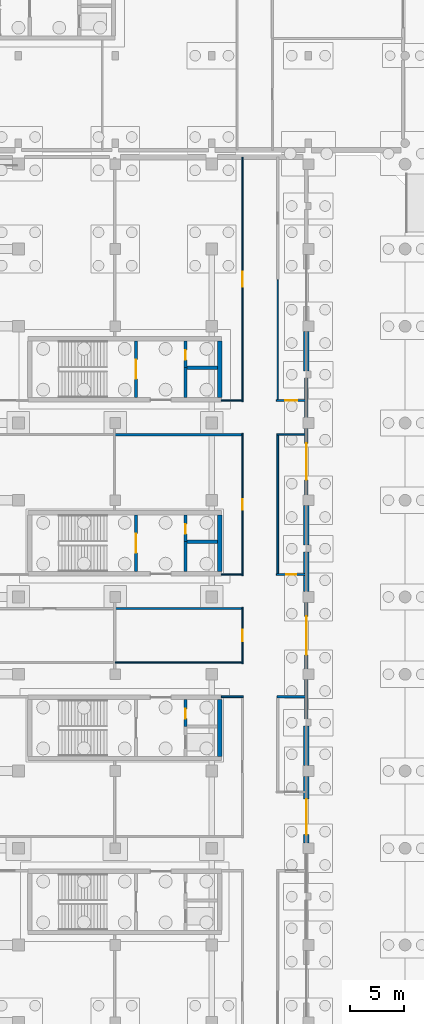
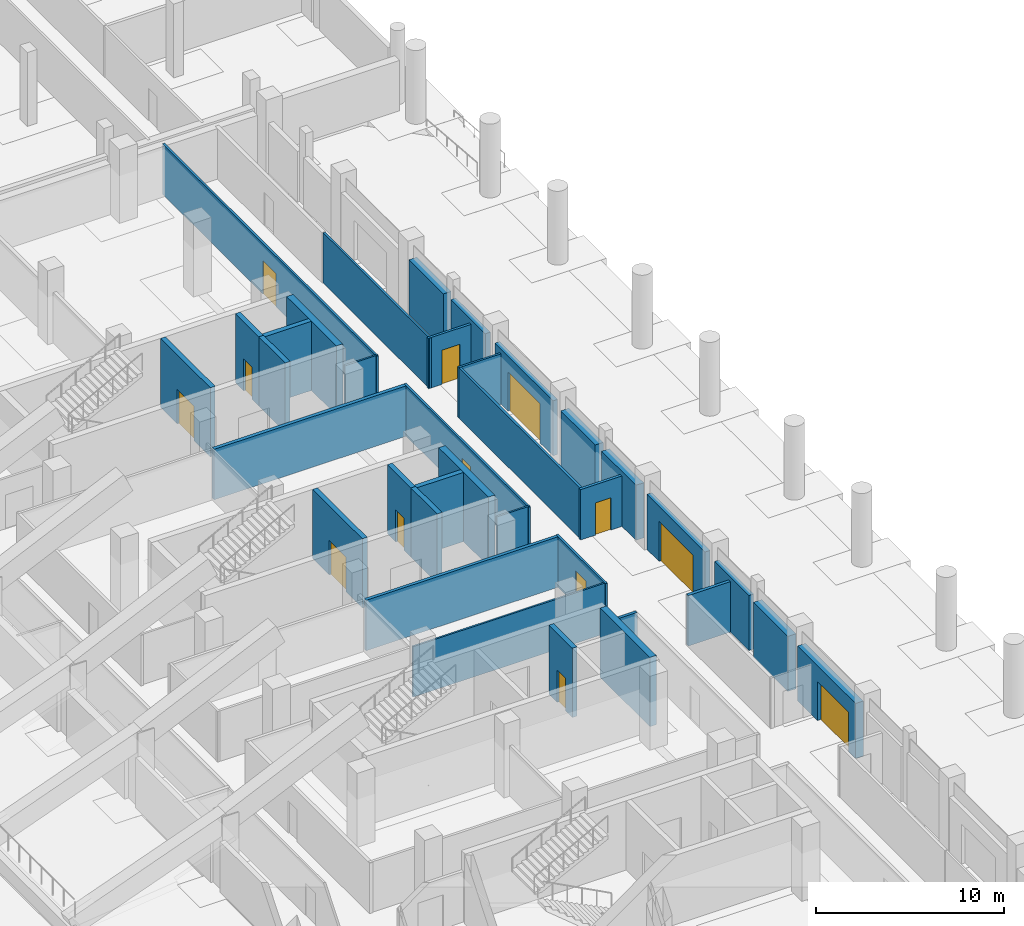
# One storey, part 31 of 53: 36 walls, 13 doors, 13 openings.
"""IFC4 building model written with IfcOpenShell, lengths in metres."""

from ifc_helpers import new_model, si_unit, direction, frame, frame_2d, origin, place, context, subcontext, project, spatial, rectangle, extrude, material, layer, layer_set, type_object, element, fill, save


model = new_model("IFC4")

# Units and contexts
model_context = context("Model", 3, precision=1e-05, world=origin(), true_north=direction((0.0, 1.0)))
body_context = subcontext(model_context, "Body", "Model", "MODEL_VIEW")
ifc_project = project(units=[si_unit("LENGTHUNIT", "METRE"), si_unit("AREAUNIT", "SQUARE_METRE"), si_unit("VOLUMEUNIT", "CUBIC_METRE"), si_unit("PLANEANGLEUNIT", "RADIAN"), si_unit("MASSUNIT", "GRAM", prefix="KILO"), si_unit("THERMODYNAMICTEMPERATUREUNIT", "KELVIN"), si_unit("POWERUNIT", "WATT")], contexts=[model_context])

# Site, building, storey
site_placement = place(None, origin())
site = spatial("IfcSite", under=ifc_project, at=site_placement, CompositionType="ELEMENT")
building_placement = place(site_placement, origin())
building = spatial("IfcBuilding", under=site, at=building_placement, Name="Sindhuravela Promenade Stadium", CompositionType="ELEMENT")
storey_placement = place(building_placement, origin())
storey = spatial("IfcBuildingStorey", under=building, at=storey_placement, Name="L00", CompositionType="ELEMENT", Elevation=0.0)

# Wall, opening, door
ifc_material_1 = material(Name="Dholpur sandstone ashlar (45 MPa)", Category="masonry")
ifc_layer_1 = layer(ifc_material_1, 0.2900390625)
ifc_layer_set_1 = layer_set([ifc_layer_1], Name="Dholpur sandstone ashlar (45 MPa)")
wall_type_1 = type_object("IfcWallType", Name="EX-WL-SND290", PredefinedType="SOLIDWALL", material=ifc_layer_set_1)
wall_1_placement = place(storey_placement, frame((206.800048828125, 100.294921875, 0.0), z_axis=(0.0, 0.0, 1.0), x_axis=(0.0, -1.0, 0.0)))
wall_1 = element("IfcWall", 1, at=wall_1_placement, inside=storey, type_object=wall_type_1, Name="Exterior masonry wall EW10 EAST L00", PredefinedType="SOLIDWALL", context=body_context, shape_type="SweptSolid", body=[
    extrude(rectangle(XDim=6.18994140625, YDim=0.2900390625, at=frame_2d((3.094970703125, 0.0))), origin(), (0.0, 0.0, 1.0), 3.580078125),
])
opening_1_placement = place(wall_1_placement, frame((1.39501953125, 0.0, 0.0)))
opening_1 = element("IfcOpeningElement", 2, at=opening_1_placement, cuts=wall_1, Name="Opening E15", PredefinedType="OPENING", context=body_context, shape_type="SweptSolid", body=[
    extrude(rectangle(XDim=3.39990234375, YDim=2.550048828125, at=frame_2d((1.699951171875, 1.27490234375))), frame((0.0, 0.155029296875, 0.0), z_axis=(0.0, -1.0, 0.0), x_axis=(1.0, 0.0, 0.0)), (0.0, 0.0, 1.0), 0.31005859375),
])
ifc_material_2 = material(Name="Anodised architectural aluminium 6063-T6", Category="aluminium")
door_type_1 = type_object("IfcDoorType", Name="DR-EXIT-3400x2550", OperationType="DOUBLE_DOOR_SINGLE_SWING", PredefinedType="DOOR", material=ifc_material_2)
door_1_placement = place(opening_1_placement, origin())
door_1 = element("IfcDoor", 3, at=door_1_placement, inside=storey, type_object=door_type_1, Name="Final exit door E15", OperationType="DOUBLE_DOOR_SINGLE_SWING", OverallHeight=2.550048828125, OverallWidth=3.39990234375, PredefinedType="DOOR", context=body_context, shape_type="SweptSolid", body=[
    extrude(rectangle(XDim=3.39990234375, YDim=2.550048828125, at=frame_2d((1.699951171875, 1.27490234375))), frame((0.0, 0.02490234375, 0.0), z_axis=(0.0, -1.0, 0.0), x_axis=(1.0, 0.0, 0.0)), (0.0, 0.0, 1.0), 0.050048828125),
])
fill(opening_1, door_1)

# Walls
wall_2_placement = place(storey_placement, frame((206.800048828125, 76.89501953125, 0.0), z_axis=(0.0, 0.0, 1.0), x_axis=(0.0, -1.0, 0.0)))
element("IfcWall", 4, at=wall_2_placement, inside=storey, type_object=wall_type_1, Name="Exterior masonry wall EW10 EAST L00", PredefinedType="SOLIDWALL", context=body_context, shape_type="SweptSolid", body=[
    extrude(rectangle(XDim=3.6650390625, YDim=0.2900390625, at=frame_2d((1.83251953125, 0.0))), origin(), (0.0, 0.0, 1.0), 3.580078125),
])
ifc_layer_2 = layer(ifc_material_1, 0.31005859375)
ifc_layer_set_2 = layer_set([ifc_layer_2], Name="Dholpur sandstone ashlar (45 MPa)")
wall_type_2 = type_object("IfcWallType", Name="EX-WL-SND310", PredefinedType="SOLIDWALL", material=ifc_layer_set_2)
wall_3_placement = place(storey_placement, frame((206.800048828125, 104.969970703125, 0.0), z_axis=(0.0, 0.0, 1.0), x_axis=(0.0, -1.0, 0.0)))
element("IfcWall", 5, at=wall_3_placement, inside=storey, type_object=wall_type_2, Name="Exterior masonry wall EW09 EAST L00", PredefinedType="SOLIDWALL", context=body_context, shape_type="SweptSolid", body=[
    extrude(rectangle(XDim=3.6650390625, YDim=0.31005859375, at=frame_2d((1.83251953125, 0.0))), origin(), (0.0, 0.0, 1.0), 3.580078125),
])

# Wall, opening, door
wall_4_placement = place(storey_placement, frame((206.800048828125, 84.094970703125, 0.0), z_axis=(0.0, 0.0, 1.0), x_axis=(0.0, -1.0, 0.0)))
wall_4 = element("IfcWall", 6, at=wall_4_placement, inside=storey, type_object=wall_type_2, Name="Exterior masonry wall EW09 EAST L00", PredefinedType="SOLIDWALL", context=body_context, shape_type="SweptSolid", body=[
    extrude(rectangle(XDim=6.18994140625, YDim=0.31005859375, at=frame_2d((3.094970703125, 0.0))), origin(), (0.0, 0.0, 1.0), 3.580078125),
])
opening_2_placement = place(wall_4_placement, frame((1.294921875, 0.0, 0.0)))
opening_2 = element("IfcOpeningElement", 7, at=opening_2_placement, cuts=wall_4, Name="Opening E01", PredefinedType="OPENING", context=body_context, shape_type="SweptSolid", body=[
    extrude(rectangle(XDim=3.60009765625, YDim=2.60009765625, at=frame_2d((1.800048828125, 1.300048828125))), frame((0.0, 0.1650390625, 0.0), z_axis=(0.0, -1.0, 0.0), x_axis=(1.0, 0.0, 0.0)), (0.0, 0.0, 1.0), 0.330078125),
])
door_type_2 = type_object("IfcDoorType", Name="DR-EXIT-3600x2600", OperationType="DOUBLE_DOOR_SINGLE_SWING", PredefinedType="DOOR", material=ifc_material_2)
door_2_placement = place(opening_2_placement, origin())
door_2 = element("IfcDoor", 8, at=door_2_placement, inside=storey, type_object=door_type_2, Name="Final exit door E01", OperationType="DOUBLE_DOOR_SINGLE_SWING", OverallHeight=2.60009765625, OverallWidth=3.60009765625, PredefinedType="DOOR", context=body_context, shape_type="SweptSolid", body=[
    extrude(rectangle(XDim=3.60009765625, YDim=2.60009765625, at=frame_2d((1.800048828125, 1.300048828125))), frame((0.0, 0.02490234375, 0.0), z_axis=(0.0, -1.0, 0.0), x_axis=(1.0, 0.0, 0.0)), (0.0, 0.0, 1.0), 0.050048828125),
])
fill(opening_2, door_2)

# Walls
ifc_layer_3 = layer(ifc_material_1, 0.47998046875)
ifc_layer_set_3 = layer_set([ifc_layer_3], Name="Dholpur sandstone ashlar (45 MPa)")
wall_type_3 = type_object("IfcWallType", Name="EX-WL-SND480", PredefinedType="SOLIDWALL", material=ifc_layer_set_3)
for number, where, z_axis, x_axis, name in (
    (9, (206.800048828125, 109.294921875, 0.0), (0.0, 0.0, 1.0), (0.0, -1.0, 0.0), "Exterior masonry wall EW08 EAST L00"),
    (10, (206.800048828125, 88.77001953125, 0.0), (0.0, 0.0, 1.0), (0.0, -1.0, 0.0), "Exterior masonry wall EW08 EAST L00"),
):
    element("IfcWall", number, at=place(storey_placement, frame(where, z_axis=z_axis, x_axis=x_axis)), inside=storey, type_object=wall_type_3, Name=name, PredefinedType="SOLIDWALL", context=body_context, shape_type="SweptSolid", body=[
        extrude(rectangle(XDim=3.6650390625, YDim=0.47998046875, at=frame_2d((1.83251953125, 0.0))), origin(), (0.0, 0.0, 1.0), 3.580078125),
    ])

# Wall, opening, door
wall_5_placement = place(storey_placement, frame((206.800048828125, 67.89501953125, 0.0), z_axis=(0.0, 0.0, 1.0), x_axis=(0.0, -1.0, 0.0)))
wall_5 = element("IfcWall", 11, at=wall_5_placement, inside=storey, type_object=wall_type_3, Name="Exterior masonry wall EW08 EAST L00", PredefinedType="SOLIDWALL", context=body_context, shape_type="SweptSolid", body=[
    extrude(rectangle(XDim=6.18994140625, YDim=0.47998046875, at=frame_2d((3.094970703125, 0.0))), origin(), (0.0, 0.0, 1.0), 3.580078125),
])
opening_3_placement = place(wall_5_placement, frame((2.117431640625, 0.0, 0.0)))
opening_3 = element("IfcOpeningElement", 12, at=opening_3_placement, cuts=wall_5, Name="Opening E16", PredefinedType="OPENING", context=body_context, shape_type="SweptSolid", body=[
    extrude(rectangle(XDim=3.300048828125, YDim=2.550048828125, at=frame_2d((1.64990234375, 1.27490234375))), frame((0.0, 0.25, 0.0), z_axis=(0.0, -1.0, 0.0), x_axis=(1.0, 0.0, 0.0)), (0.0, 0.0, 1.0), 0.5),
])
door_type_3 = type_object("IfcDoorType", Name="DR-EXIT-3300x2550", OperationType="DOUBLE_DOOR_SINGLE_SWING", PredefinedType="DOOR", material=ifc_material_2)
door_3_placement = place(opening_3_placement, origin())
door_3 = element("IfcDoor", 13, at=door_3_placement, inside=storey, type_object=door_type_3, Name="Final exit door E16", OperationType="DOUBLE_DOOR_SINGLE_SWING", OverallHeight=2.550048828125, OverallWidth=3.300048828125, PredefinedType="DOOR", context=body_context, shape_type="SweptSolid", body=[
    extrude(rectangle(XDim=3.300048828125, YDim=2.550048828125, at=frame_2d((1.64990234375, 1.27490234375))), frame((0.0, 0.02490234375, 0.0), z_axis=(0.0, -1.0, 0.0), x_axis=(1.0, 0.0, 0.0)), (0.0, 0.0, 1.0), 0.050048828125),
])
fill(opening_3, door_3)

# Walls
ifc_layer_4 = layer(ifc_material_1, 0.5)
ifc_layer_set_4 = layer_set([ifc_layer_4], Name="Dholpur sandstone ashlar (45 MPa)")
wall_type_4 = type_object("IfcWallType", Name="EX-WL-SND500", PredefinedType="SOLIDWALL", material=ifc_layer_set_4)
for number, where, z_axis, x_axis, name in (
    (14, (206.800048828125, 93.094970703125, 0.0), (0.0, 0.0, 1.0), (0.0, -1.0, 0.0), "Exterior masonry wall EW07 EAST L00"),
    (15, (206.800048828125, 72.570068359375, 0.0), (0.0, 0.0, 1.0), (0.0, -1.0, 0.0), "Exterior masonry wall EW07 EAST L00"),
):
    element("IfcWall", number, at=place(storey_placement, frame(where, z_axis=z_axis, x_axis=x_axis)), inside=storey, type_object=wall_type_4, Name=name, PredefinedType="SOLIDWALL", context=body_context, shape_type="SweptSolid", body=[
        extrude(rectangle(XDim=3.6650390625, YDim=0.5, at=frame_2d((1.83251953125, 0.0))), origin(), (0.0, 0.0, 1.0), 3.580078125),
    ])
ifc_material_3 = material(Name="Fire-rated gypsum partition board", Category="gypsum")
ifc_layer_5 = layer(ifc_material_3, 0.110107421875)
ifc_layer_set_5 = layer_set([ifc_layer_5], Name="Fire-rated gypsum partition board")
wall_type_5 = type_object("IfcWallType", Name="IN-WL-PAR110", PredefinedType="PARTITIONING", material=ifc_layer_set_5)
for number, where, z_axis, x_axis, name in (
    (16, (200.93994140625, 102.889892578125, 0.0), (0.0, 0.0, 1.0), (-1.0, 0.0, 0.0), "Interior partition IW06 EAST L00"),
    (17, (200.93994140625, 86.68994140625, 0.0), (0.0, 0.0, 1.0), (-1.0, 0.0, 0.0), "Interior partition IW06 EAST L00"),
):
    element("IfcWall", number, at=place(storey_placement, frame(where, z_axis=z_axis, x_axis=x_axis)), inside=storey, type_object=wall_type_5, Name=name, PredefinedType="PARTITIONING", context=body_context, shape_type="SweptSolid", body=[
        extrude(rectangle(XDim=2.037841796875, YDim=0.110107421875, at=frame_2d((1.01904296875, 0.0))), origin(), (0.0, 0.0, 1.0), 3.280029296875),
    ])
wall_6_placement = place(storey_placement, frame((200.93994140625, 78.489990234375, 0.0), z_axis=(0.0, 0.0, 1.0), x_axis=(-1.0, 0.0, 0.0)))
element("IfcWall", 18, at=wall_6_placement, inside=storey, type_object=wall_type_5, Name="Interior partition IW06 EAST L00", PredefinedType="PARTITIONING", context=body_context, shape_type="SweptSolid", body=[
    extrude(rectangle(XDim=11.949951171875, YDim=0.110107421875, at=frame_2d((5.97509765625, 0.0))), origin(), (0.0, 0.0, 1.0), 3.280029296875),
])

# Wall, opening, door
ifc_layer_6 = layer(ifc_material_3, 0.1298828125)
ifc_layer_set_6 = layer_set([ifc_layer_6], Name="Fire-rated gypsum partition board")
wall_type_6 = type_object("IfcWallType", Name="IN-WL-PAR130", PredefinedType="PARTITIONING", material=ifc_layer_set_6)
wall_7_placement = place(storey_placement, frame((200.860107421875, 102.77001953125, 0.0), z_axis=(0.0, 0.0, 1.0), x_axis=(0.0, 1.0, 0.0)))
wall_7 = element("IfcWall", 19, at=wall_7_placement, inside=storey, type_object=wall_type_6, Name="Corridor partition IW05 Stadium Club Shop", PredefinedType="PARTITIONING", context=body_context, shape_type="SweptSolid", body=[
    extrude(rectangle(XDim=22.780029296875, YDim=0.1298828125, at=frame_2d((11.39013671875, 0.0))), origin(), (0.0, 0.0, 1.0), 3.280029296875),
])
opening_4_placement = place(wall_7_placement, frame((10.68994140625, 0.0, 0.0)))
opening_4 = element("IfcOpeningElement", 20, at=opening_4_placement, cuts=wall_7, Name="Opening ID03", PredefinedType="OPENING", context=body_context, shape_type="SweptSolid", body=[
    extrude(rectangle(XDim=1.39990234375, YDim=2.14990234375, at=frame_2d((0.699951171875, 1.074951171875))), frame((0.0, 0.074951171875, 0.0), z_axis=(0.0, -1.0, 0.0), x_axis=(1.0, 0.0, 0.0)), (0.0, 0.0, 1.0), 0.14990234375),
])
ifc_material_4 = material(Name="Architectural teak timber leaf", Category="wood")
door_type_4 = type_object("IfcDoorType", Name="DR-INT-1400x2150", OperationType="DOUBLE_DOOR_SINGLE_SWING", PredefinedType="DOOR", material=ifc_material_4)
door_4_placement = place(opening_4_placement, origin())
door_4 = element("IfcDoor", 21, at=door_4_placement, inside=storey, type_object=door_type_4, Name="Stadium Club Shop door", OperationType="DOUBLE_DOOR_SINGLE_SWING", OverallHeight=2.14990234375, OverallWidth=1.39990234375, PredefinedType="DOOR", context=body_context, shape_type="SweptSolid", body=[
    extrude(rectangle(XDim=1.39990234375, YDim=2.14990234375, at=frame_2d((0.699951171875, 1.074951171875))), frame((0.0, 0.02490234375, 0.0), z_axis=(0.0, -1.0, 0.0), x_axis=(1.0, 0.0, 0.0)), (0.0, 0.0, 1.0), 0.050048828125),
])
fill(opening_4, door_4)

wall_8_placement = place(storey_placement, frame((200.860107421875, 86.570068359375, 0.0), z_axis=(0.0, 0.0, 1.0), x_axis=(0.0, 1.0, 0.0)))
wall_8 = element("IfcWall", 22, at=wall_8_placement, inside=storey, type_object=wall_type_6, Name="Corridor partition IW05 Accessible WC East L00", PredefinedType="PARTITIONING", context=body_context, shape_type="SweptSolid", body=[
    extrude(rectangle(XDim=13.260009765625, YDim=0.1298828125, at=frame_2d((6.6298828125, 0.0))), origin(), (0.0, 0.0, 1.0), 3.280029296875),
])
opening_5_placement = place(wall_8_placement, frame((6.155029296875, 0.0, 0.0)))
opening_5 = element("IfcOpeningElement", 23, at=opening_5_placement, cuts=wall_8, Name="Opening ID10", PredefinedType="OPENING", context=body_context, shape_type="SweptSolid", body=[
    extrude(rectangle(XDim=0.949951171875, YDim=2.179931640625, at=frame_2d((0.47509765625, 1.08984375))), frame((0.0, 0.074951171875, 0.0), z_axis=(0.0, -1.0, 0.0), x_axis=(1.0, 0.0, 0.0)), (0.0, 0.0, 1.0), 0.14990234375),
])
door_type_5 = type_object("IfcDoorType", Name="DR-INT-950x2180", OperationType="NOTDEFINED", PredefinedType="DOOR", material=ifc_material_4)
door_5_placement = place(opening_5_placement, origin())
door_5 = element("IfcDoor", 24, at=door_5_placement, inside=storey, type_object=door_type_5, Name="Accessible WC East L00 door", OperationType="SINGLE_SWING_RIGHT", OverallHeight=2.179931640625, OverallWidth=0.949951171875, PredefinedType="DOOR", context=body_context, shape_type="SweptSolid", body=[
    extrude(rectangle(XDim=0.949951171875, YDim=2.179931640625, at=frame_2d((0.47509765625, 1.08984375))), frame((0.0, 0.02490234375, 0.0), z_axis=(0.0, -1.0, 0.0), x_axis=(1.0, 0.0, 0.0)), (0.0, 0.0, 1.0), 0.050048828125),
])
fill(opening_5, door_5)

wall_9_placement = place(storey_placement, frame((200.860107421875, 78.3701171875, 0.0), z_axis=(0.0, 0.0, 1.0), x_axis=(0.0, 1.0, 0.0)))
wall_9 = element("IfcWall", 25, at=wall_9_placement, inside=storey, type_object=wall_type_6, Name="Corridor partition IW05 Supporters Entrance Hall 2", PredefinedType="PARTITIONING", context=body_context, shape_type="SweptSolid", body=[
    extrude(rectangle(XDim=5.259765625, YDim=0.1298828125, at=frame_2d((2.6298828125, 0.0))), origin(), (0.0, 0.0, 1.0), 3.280029296875),
])
opening_6_placement = place(wall_9_placement, frame((2.090087890625, 0.0, 0.0)))
opening_6 = element("IfcOpeningElement", 26, at=opening_6_placement, cuts=wall_9, Name="Opening ID12", PredefinedType="OPENING", context=body_context, shape_type="SweptSolid", body=[
    extrude(rectangle(XDim=1.080078125, YDim=2.179931640625, at=frame_2d((0.5400390625, 1.08984375))), frame((0.0, 0.074951171875, 0.0), z_axis=(0.0, -1.0, 0.0), x_axis=(1.0, 0.0, 0.0)), (0.0, 0.0, 1.0), 0.14990234375),
])
door_type_6 = type_object("IfcDoorType", Name="DR-INT-1080x2180", OperationType="NOTDEFINED", PredefinedType="DOOR", material=ifc_material_4)
door_6_placement = place(opening_6_placement, origin())
door_6 = element("IfcDoor", 27, at=door_6_placement, inside=storey, type_object=door_type_6, Name="Supporters Entrance Hall 2 door", OperationType="SINGLE_SWING_RIGHT", OverallHeight=2.179931640625, OverallWidth=1.080078125, PredefinedType="DOOR", context=body_context, shape_type="SweptSolid", body=[
    extrude(rectangle(XDim=1.080078125, YDim=2.179931640625, at=frame_2d((0.5400390625, 1.08984375))), frame((0.0, 0.02490234375, 0.0), z_axis=(0.0, -1.0, 0.0), x_axis=(1.0, 0.0, 0.0)), (0.0, 0.0, 1.0), 0.050048828125),
])
fill(opening_6, door_6)

# Walls
wall_10_placement = place(storey_placement, frame((204.06005859375, 99.7099609375, 0.0), z_axis=(0.0, 0.0, 1.0), x_axis=(1.0, 0.0, 0.0)))
element("IfcWall", 28, at=wall_10_placement, inside=storey, type_object=wall_type_6, Name="Interior partition IW05 EAST L00", PredefinedType="PARTITIONING", context=body_context, shape_type="SweptSolid", body=[
    extrude(rectangle(XDim=2.699951171875, YDim=0.1298828125, at=frame_2d((1.35009765625, 0.0))), origin(), (0.0, 0.0, 1.0), 3.280029296875),
])
wall_11_placement = place(storey_placement, frame((204.139892578125, 102.81005859375, 0.0), z_axis=(0.0, 0.0, 1.0), x_axis=(0.0, 1.0, 0.0)))
element("IfcWall", 29, at=wall_11_placement, inside=storey, type_object=wall_type_6, Name="Interior partition IW05 EAST L00", PredefinedType="PARTITIONING", context=body_context, shape_type="SweptSolid", body=[
    extrude(rectangle(XDim=11.31005859375, YDim=0.1298828125, at=frame_2d((5.655029296875, 0.0))), origin(), (0.0, 0.0, 1.0), 3.280029296875),
])
ifc_layer_7 = layer(ifc_material_3, 0.14990234375)
ifc_layer_set_7 = layer_set([ifc_layer_7], Name="Fire-rated gypsum partition board")
wall_type_7 = type_object("IfcWallType", Name="IN-WL-PAR150", PredefinedType="PARTITIONING", material=ifc_layer_set_7)
wall_12_placement = place(storey_placement, frame((204.139892578125, 86.610107421875, 0.0), z_axis=(0.0, 0.0, 1.0), x_axis=(0.0, 1.0, 0.0)))
element("IfcWall", 30, at=wall_12_placement, inside=storey, type_object=wall_type_7, Name="Interior partition IW04 EAST L00", PredefinedType="PARTITIONING", context=body_context, shape_type="SweptSolid", body=[
    extrude(rectangle(XDim=13.179931640625, YDim=0.14990234375, at=frame_2d((6.58984375, 0.0))), origin(), (0.0, 0.0, 1.0), 3.280029296875),
])

# Wall, opening, door
wall_13_placement = place(storey_placement, frame((204.02001953125, 102.889892578125, 0.0), z_axis=(0.0, 0.0, 1.0), x_axis=(1.0, 0.0, 0.0)))
wall_13 = element("IfcWall", 31, at=wall_13_placement, inside=storey, type_object=wall_type_7, Name="Corridor partition IW04 Sports Museum Foyer 13", PredefinedType="PARTITIONING", context=body_context, shape_type="SweptSolid", body=[
    extrude(rectangle(XDim=2.780029296875, YDim=0.14990234375, at=frame_2d((1.39013671875, 0.0))), origin(), (0.0, 0.0, 1.0), 3.280029296875),
])
opening_7_placement = place(wall_13_placement, frame((0.830078125, 0.0, 0.0)))
opening_7 = element("IfcOpeningElement", 32, at=opening_7_placement, cuts=wall_13, Name="Opening ID13", PredefinedType="OPENING", context=body_context, shape_type="SweptSolid", body=[
    extrude(rectangle(XDim=1.1201171875, YDim=2.219970703125, at=frame_2d((0.56005859375, 1.10986328125))), frame((0.0, 0.0849609375, 0.0), z_axis=(0.0, -1.0, 0.0), x_axis=(1.0, 0.0, 0.0)), (0.0, 0.0, 1.0), 0.169921875),
])
door_type_7 = type_object("IfcDoorType", Name="DR-INT-1120x2220", OperationType="NOTDEFINED", PredefinedType="DOOR", material=ifc_material_4)
door_7_placement = place(opening_7_placement, origin())
door_7 = element("IfcDoor", 33, at=door_7_placement, inside=storey, type_object=door_type_7, Name="Sports Museum Foyer 13 door", OperationType="SINGLE_SWING_LEFT", OverallHeight=2.219970703125, OverallWidth=1.1201171875, PredefinedType="DOOR", context=body_context, shape_type="SweptSolid", body=[
    extrude(rectangle(XDim=1.1201171875, YDim=2.219970703125, at=frame_2d((0.56005859375, 1.10986328125))), frame((0.0, 0.02490234375, 0.0), z_axis=(0.0, -1.0, 0.0), x_axis=(1.0, 0.0, 0.0)), (0.0, 0.0, 1.0), 0.050048828125),
])
fill(opening_7, door_7)

# Wall
ifc_layer_8 = layer(ifc_material_3, 0.175048828125)
ifc_layer_set_8 = layer_set([ifc_layer_8], Name="Fire-rated gypsum partition board")
wall_type_8 = type_object("IfcWallType", Name="IN-WL-PAR175", PredefinedType="PARTITIONING", material=ifc_layer_set_8)
wall_14_placement = place(storey_placement, frame((198.902099609375, 75.31005859375, 0.0), z_axis=(0.0, 0.0, 1.0), x_axis=(1.0, 0.0, 0.0)))
element("IfcWall", 34, at=wall_14_placement, inside=storey, type_object=wall_type_8, Name="Interior partition IW03 EAST L00", PredefinedType="PARTITIONING", context=body_context, shape_type="SweptSolid", body=[
    extrude(rectangle(XDim=2.037841796875, YDim=0.175048828125, at=frame_2d((1.01904296875, 0.0))), origin(), (0.0, 0.0, 1.0), 3.280029296875),
])

# Wall, opening, door
wall_15_placement = place(storey_placement, frame((204.02001953125, 86.68994140625, 0.0), z_axis=(0.0, 0.0, 1.0), x_axis=(1.0, 0.0, 0.0)))
wall_15 = element("IfcWall", 35, at=wall_15_placement, inside=storey, type_object=wall_type_8, Name="Corridor partition IW03 Public Toilet Block East L00 9", PredefinedType="PARTITIONING", context=body_context, shape_type="SweptSolid", body=[
    extrude(rectangle(XDim=2.780029296875, YDim=0.175048828125, at=frame_2d((1.39013671875, 0.0))), origin(), (0.0, 0.0, 1.0), 3.280029296875),
])
opening_8_placement = place(wall_15_placement, frame((0.9150390625, 0.0, 0.0)))
opening_8 = element("IfcOpeningElement", 36, at=opening_8_placement, cuts=wall_15, Name="Opening ID09", PredefinedType="OPENING", context=body_context, shape_type="SweptSolid", body=[
    extrude(rectangle(XDim=0.949951171875, YDim=2.10009765625, at=frame_2d((0.47509765625, 1.050048828125))), frame((0.0, 0.097412109375, 0.0), z_axis=(0.0, -1.0, 0.0), x_axis=(1.0, 0.0, 0.0)), (0.0, 0.0, 1.0), 0.195068359375),
])
door_type_8 = type_object("IfcDoorType", Name="DR-INT-950x2100", OperationType="NOTDEFINED", PredefinedType="DOOR", material=ifc_material_4)
door_8_placement = place(opening_8_placement, origin())
door_8 = element("IfcDoor", 37, at=door_8_placement, inside=storey, type_object=door_type_8, Name="Public Toilet Block East L00 9 door", OperationType="SINGLE_SWING_LEFT", OverallHeight=2.10009765625, OverallWidth=0.949951171875, PredefinedType="DOOR", context=body_context, shape_type="SweptSolid", body=[
    extrude(rectangle(XDim=0.949951171875, YDim=2.10009765625, at=frame_2d((0.47509765625, 1.050048828125))), frame((0.0, 0.02490234375, 0.0), z_axis=(0.0, -1.0, 0.0), x_axis=(1.0, 0.0, 0.0)), (0.0, 0.0, 1.0), 0.050048828125),
])
fill(opening_8, door_8)

# Walls
ifc_layer_9 = layer(ifc_material_3, 0.195068359375)
ifc_layer_set_9 = layer_set([ifc_layer_9], Name="Fire-rated gypsum partition board")
wall_type_9 = type_object("IfcWallType", Name="IN-WL-PAR195", PredefinedType="PARTITIONING", material=ifc_layer_set_9)
wall_16_placement = place(storey_placement, frame((188.989990234375, 83.510009765625, 0.0), z_axis=(0.0, 0.0, 1.0), x_axis=(1.0, 0.0, 0.0)))
element("IfcWall", 38, at=wall_16_placement, inside=storey, type_object=wall_type_9, Name="Interior partition IW02 EAST L00", PredefinedType="PARTITIONING", context=body_context, shape_type="SweptSolid", body=[
    extrude(rectangle(XDim=11.949951171875, YDim=0.195068359375, at=frame_2d((5.97509765625, 0.0))), origin(), (0.0, 0.0, 1.0), 3.280029296875),
])
wall_17_placement = place(storey_placement, frame((204.06005859375, 75.31005859375, 0.0), z_axis=(0.0, 0.0, 1.0), x_axis=(1.0, 0.0, 0.0)))
element("IfcWall", 39, at=wall_17_placement, inside=storey, type_object=wall_type_9, Name="Interior partition IW02 EAST L00", PredefinedType="PARTITIONING", context=body_context, shape_type="SweptSolid", body=[
    extrude(rectangle(XDim=2.699951171875, YDim=0.195068359375, at=frame_2d((1.35009765625, 0.0))), origin(), (0.0, 0.0, 1.0), 3.280029296875),
])
ifc_layer_10 = layer(ifc_material_3, 0.219970703125)
ifc_layer_set_10 = layer_set([ifc_layer_10], Name="Fire-rated gypsum partition board")
wall_type_10 = type_object("IfcWallType", Name="IN-WL-PAR220", PredefinedType="PARTITIONING", material=ifc_layer_set_10)
wall_18_placement = place(storey_placement, frame((188.989990234375, 99.7099609375, 0.0), z_axis=(0.0, 0.0, 1.0), x_axis=(1.0, 0.0, 0.0)))
element("IfcWall", 40, at=wall_18_placement, inside=storey, type_object=wall_type_10, Name="Interior partition IW01 EAST L00", PredefinedType="PARTITIONING", context=body_context, shape_type="SweptSolid", body=[
    extrude(rectangle(XDim=11.949951171875, YDim=0.219970703125, at=frame_2d((5.97509765625, 0.0))), origin(), (0.0, 0.0, 1.0), 3.280029296875),
])

# Wall, opening, door
ifc_material_5 = material(Name="Concrete M50", Category="concrete")
ifc_layer_11 = layer(ifc_material_5, 0.300048828125)
ifc_layer_set_11 = layer_set([ifc_layer_11], Name="Concrete M50")
wall_type_11 = type_object("IfcWallType", Name="RC-SW-300", PredefinedType="SHEAR", material=ifc_layer_set_11)
wall_19_placement = place(storey_placement, frame((195.550048828125, 72.550048828125, 0.0), z_axis=(0.0, 0.0, 1.0), x_axis=(0.0, 1.0, 0.0)))
wall_19 = element("IfcWall", 41, at=wall_19_placement, inside=storey, type_object=wall_type_11, Name="Core shear wall C06-RSR (L00)", PredefinedType="SHEAR", context=body_context, shape_type="SweptSolid", body=[
    extrude(rectangle(XDim=2.5, YDim=0.300048828125, at=frame_2d((1.25, 0.0))), origin(), (0.0, 0.0, 1.0), 4.5),
])
opening_9_placement = place(wall_19_placement, frame((0.72509765625, 0.0, 0.0)))
opening_9 = element("IfcOpeningElement", 42, at=opening_9_placement, cuts=wall_19, Name="Opening FD03", PredefinedType="OPENING", context=body_context, shape_type="SweptSolid", body=[
    extrude(rectangle(XDim=0.89990234375, YDim=2.10009765625, at=frame_2d((0.449951171875, 1.050048828125))), frame((0.0, 0.159912109375, 0.0), z_axis=(0.0, -1.0, 0.0), x_axis=(1.0, 0.0, 0.0)), (0.0, 0.0, 1.0), 0.320068359375),
])
ifc_material_6 = material(Name="Architectural wrought steel E350", Category="steel")
door_type_9 = type_object("IfcDoorType", Name="DR-RSR-900x2100", OperationType="NOTDEFINED", PredefinedType="DOOR", material=ifc_material_6)
door_9_placement = place(opening_9_placement, origin())
door_9 = element("IfcDoor", 43, at=door_9_placement, inside=storey, type_object=door_type_9, Name="Riser shaft access door C06 (L00)", OperationType="SINGLE_SWING_LEFT", OverallHeight=2.10009765625, OverallWidth=0.89990234375, PredefinedType="DOOR", context=body_context, shape_type="SweptSolid", body=[
    extrude(rectangle(XDim=0.89990234375, YDim=2.10009765625, at=frame_2d((0.449951171875, 1.050048828125))), frame((0.0, 0.02490234375, 0.0), z_axis=(0.0, -1.0, 0.0), x_axis=(1.0, 0.0, 0.0)), (0.0, 0.0, 1.0), 0.050048828125),
])
fill(opening_9, door_9)

wall_20_placement = place(storey_placement, frame((190.949951171875, 86.949951171875, 0.0), z_axis=(0.0, 0.0, 1.0), x_axis=(0.0, 1.0, 0.0)))
wall_20 = element("IfcWall", 44, at=wall_20_placement, inside=storey, type_object=wall_type_11, Name="Core shear wall C07-ST (L00)", PredefinedType="SHEAR", context=body_context, shape_type="SweptSolid", body=[
    extrude(rectangle(XDim=5.300048828125, YDim=0.300048828125, at=frame_2d((2.64990234375, 0.0))), origin(), (0.0, 0.0, 1.0), 4.5),
])
opening_10_placement = place(wall_20_placement, frame((1.75, 0.0, 0.0)))
opening_10 = element("IfcOpeningElement", 45, at=opening_10_placement, cuts=wall_20, Name="Opening FD01", PredefinedType="OPENING", context=body_context, shape_type="SweptSolid", body=[
    extrude(rectangle(XDim=1.800048828125, YDim=2.25, at=frame_2d((0.89990234375, 1.125))), frame((0.0, 0.159912109375, 0.0), z_axis=(0.0, -1.0, 0.0), x_axis=(1.0, 0.0, 0.0)), (0.0, 0.0, 1.0), 0.320068359375),
])
door_type_10 = type_object("IfcDoorType", Name="DR-CORE-1800x2250", OperationType="DOUBLE_DOOR_SINGLE_SWING", PredefinedType="DOOR", material=ifc_material_6)
door_10_placement = place(opening_10_placement, origin())
door_10 = element("IfcDoor", 46, at=door_10_placement, inside=storey, type_object=door_type_10, Name="Stair ST07 lobby fire door (L00)", OperationType="DOUBLE_DOOR_SINGLE_SWING", OverallHeight=2.25, OverallWidth=1.800048828125, PredefinedType="DOOR", context=body_context, shape_type="SweptSolid", body=[
    extrude(rectangle(XDim=1.800048828125, YDim=2.25, at=frame_2d((0.89990234375, 1.125))), frame((0.0, 0.02490234375, 0.0), z_axis=(0.0, -1.0, 0.0), x_axis=(1.0, 0.0, 0.0)), (0.0, 0.0, 1.0), 0.050048828125),
])
fill(opening_10, door_10)

# Wall
wall_21_placement = place(storey_placement, frame((195.550048828125, 86.949951171875, 0.0), z_axis=(0.0, 0.0, 1.0), x_axis=(0.0, 1.0, 0.0)))
element("IfcWall", 47, at=wall_21_placement, inside=storey, type_object=wall_type_11, Name="Core shear wall C07-LFT (L00)", PredefinedType="SHEAR", context=body_context, shape_type="SweptSolid", body=[
    extrude(rectangle(XDim=2.800048828125, YDim=0.300048828125, at=frame_2d((1.39990234375, 0.0))), origin(), (0.0, 0.0, 1.0), 4.5),
])

# Wall, opening, door
wall_22_placement = place(storey_placement, frame((195.550048828125, 89.75, 0.0), z_axis=(0.0, 0.0, 1.0), x_axis=(0.0, 1.0, 0.0)))
wall_22 = element("IfcWall", 48, at=wall_22_placement, inside=storey, type_object=wall_type_11, Name="Core shear wall C07-RSR (L00)", PredefinedType="SHEAR", context=body_context, shape_type="SweptSolid", body=[
    extrude(rectangle(XDim=2.5, YDim=0.300048828125, at=frame_2d((1.25, 0.0))), origin(), (0.0, 0.0, 1.0), 4.5),
])
opening_11_placement = place(wall_22_placement, frame((0.72509765625, 0.0, 0.0)))
opening_11 = element("IfcOpeningElement", 49, at=opening_11_placement, cuts=wall_22, Name="Opening FD03", PredefinedType="OPENING", context=body_context, shape_type="SweptSolid", body=[
    extrude(rectangle(XDim=0.89990234375, YDim=2.10009765625, at=frame_2d((0.449951171875, 1.050048828125))), frame((0.0, 0.159912109375, 0.0), z_axis=(0.0, -1.0, 0.0), x_axis=(1.0, 0.0, 0.0)), (0.0, 0.0, 1.0), 0.320068359375),
])
door_11_placement = place(opening_11_placement, origin())
door_11 = element("IfcDoor", 50, at=door_11_placement, inside=storey, type_object=door_type_9, Name="Riser shaft access door C07 (L00)", OperationType="SINGLE_SWING_LEFT", OverallHeight=2.10009765625, OverallWidth=0.89990234375, PredefinedType="DOOR", context=body_context, shape_type="SweptSolid", body=[
    extrude(rectangle(XDim=0.89990234375, YDim=2.10009765625, at=frame_2d((0.449951171875, 1.050048828125))), frame((0.0, 0.02490234375, 0.0), z_axis=(0.0, -1.0, 0.0), x_axis=(1.0, 0.0, 0.0)), (0.0, 0.0, 1.0), 0.050048828125),
])
fill(opening_11, door_11)

# Wall
wall_23_placement = place(storey_placement, frame((195.699951171875, 89.75, 0.0), z_axis=(0.0, 0.0, 1.0), x_axis=(1.0, 0.0, 0.0)))
element("IfcWall", 51, at=wall_23_placement, inside=storey, type_object=wall_type_11, Name="Core shear wall C07-DIV (L00)", PredefinedType="SHEAR", context=body_context, shape_type="SweptSolid", body=[
    extrude(rectangle(XDim=2.85009765625, YDim=0.300048828125, at=frame_2d((1.425048828125, 0.0))), origin(), (0.0, 0.0, 1.0), 4.5),
])

# Wall, opening, door
wall_24_placement = place(storey_placement, frame((190.949951171875, 103.14990234375, 0.0), z_axis=(0.0, 0.0, 1.0), x_axis=(0.0, 1.0, 0.0)))
wall_24 = element("IfcWall", 52, at=wall_24_placement, inside=storey, type_object=wall_type_11, Name="Core shear wall C08-ST (L00)", PredefinedType="SHEAR", context=body_context, shape_type="SweptSolid", body=[
    extrude(rectangle(XDim=5.300048828125, YDim=0.300048828125, at=frame_2d((2.64990234375, 0.0))), origin(), (0.0, 0.0, 1.0), 4.5),
])
opening_12_placement = place(wall_24_placement, frame((1.75, 0.0, 0.0)))
opening_12 = element("IfcOpeningElement", 53, at=opening_12_placement, cuts=wall_24, Name="Opening FD01", PredefinedType="OPENING", context=body_context, shape_type="SweptSolid", body=[
    extrude(rectangle(XDim=1.800048828125, YDim=2.25, at=frame_2d((0.89990234375, 1.125))), frame((0.0, 0.159912109375, 0.0), z_axis=(0.0, -1.0, 0.0), x_axis=(1.0, 0.0, 0.0)), (0.0, 0.0, 1.0), 0.320068359375),
])
door_12_placement = place(opening_12_placement, origin())
door_12 = element("IfcDoor", 54, at=door_12_placement, inside=storey, type_object=door_type_10, Name="Stair ST08 lobby fire door (L00)", OperationType="DOUBLE_DOOR_SINGLE_SWING", OverallHeight=2.25, OverallWidth=1.800048828125, PredefinedType="DOOR", context=body_context, shape_type="SweptSolid", body=[
    extrude(rectangle(XDim=1.800048828125, YDim=2.25, at=frame_2d((0.89990234375, 1.125))), frame((0.0, 0.02490234375, 0.0), z_axis=(0.0, -1.0, 0.0), x_axis=(1.0, 0.0, 0.0)), (0.0, 0.0, 1.0), 0.050048828125),
])
fill(opening_12, door_12)

# Wall
wall_25_placement = place(storey_placement, frame((195.550048828125, 103.14990234375, 0.0), z_axis=(0.0, 0.0, 1.0), x_axis=(0.0, 1.0, 0.0)))
element("IfcWall", 55, at=wall_25_placement, inside=storey, type_object=wall_type_11, Name="Core shear wall C08-LFT (L00)", PredefinedType="SHEAR", context=body_context, shape_type="SweptSolid", body=[
    extrude(rectangle(XDim=2.800048828125, YDim=0.300048828125, at=frame_2d((1.39990234375, 0.0))), origin(), (0.0, 0.0, 1.0), 4.5),
])

# Wall, opening, door
wall_26_placement = place(storey_placement, frame((195.550048828125, 105.949951171875, 0.0), z_axis=(0.0, 0.0, 1.0), x_axis=(0.0, 1.0, 0.0)))
wall_26 = element("IfcWall", 56, at=wall_26_placement, inside=storey, type_object=wall_type_11, Name="Core shear wall C08-RSR (L00)", PredefinedType="SHEAR", context=body_context, shape_type="SweptSolid", body=[
    extrude(rectangle(XDim=2.5, YDim=0.300048828125, at=frame_2d((1.25, 0.0))), origin(), (0.0, 0.0, 1.0), 4.5),
])
opening_13_placement = place(wall_26_placement, frame((0.72509765625, 0.0, 0.0)))
opening_13 = element("IfcOpeningElement", 57, at=opening_13_placement, cuts=wall_26, Name="Opening FD03", PredefinedType="OPENING", context=body_context, shape_type="SweptSolid", body=[
    extrude(rectangle(XDim=0.89990234375, YDim=2.10009765625, at=frame_2d((0.449951171875, 1.050048828125))), frame((0.0, 0.159912109375, 0.0), z_axis=(0.0, -1.0, 0.0), x_axis=(1.0, 0.0, 0.0)), (0.0, 0.0, 1.0), 0.320068359375),
])
door_13_placement = place(opening_13_placement, origin())
door_13 = element("IfcDoor", 58, at=door_13_placement, inside=storey, type_object=door_type_9, Name="Riser shaft access door C08 (L00)", OperationType="SINGLE_SWING_LEFT", OverallHeight=2.10009765625, OverallWidth=0.89990234375, PredefinedType="DOOR", context=body_context, shape_type="SweptSolid", body=[
    extrude(rectangle(XDim=0.89990234375, YDim=2.10009765625, at=frame_2d((0.449951171875, 1.050048828125))), frame((0.0, 0.02490234375, 0.0), z_axis=(0.0, -1.0, 0.0), x_axis=(1.0, 0.0, 0.0)), (0.0, 0.0, 1.0), 0.050048828125),
])
fill(opening_13, door_13)

# Walls
wall_27_placement = place(storey_placement, frame((195.699951171875, 105.949951171875, 0.0), z_axis=(0.0, 0.0, 1.0), x_axis=(1.0, 0.0, 0.0)))
element("IfcWall", 59, at=wall_27_placement, inside=storey, type_object=wall_type_11, Name="Core shear wall C08-DIV (L00)", PredefinedType="SHEAR", context=body_context, shape_type="SweptSolid", body=[
    extrude(rectangle(XDim=2.85009765625, YDim=0.300048828125, at=frame_2d((1.425048828125, 0.0))), origin(), (0.0, 0.0, 1.0), 4.5),
])
ifc_layer_12 = layer(ifc_material_5, 0.39990234375)
ifc_layer_set_12 = layer_set([ifc_layer_12], Name="Concrete M50")
wall_type_12 = type_object("IfcWallType", Name="RC-SW-400", PredefinedType="SHEAR", material=ifc_layer_set_12)
for number, where, z_axis, x_axis, name in (
    (60, (198.75, 69.75, 0.0), (0.0, 0.0, 1.0), (0.0, 1.0, 0.0), "Core shear wall C06-E (L00)"),
    (61, (198.75, 86.949951171875, 0.0), (0.0, 0.0, 1.0), (0.0, 1.0, 0.0), "Core shear wall C07-E (L00)"),
    (62, (198.75, 103.14990234375, 0.0), (0.0, 0.0, 1.0), (0.0, 1.0, 0.0), "Core shear wall C08-E (L00)"),
):
    element("IfcWall", number, at=place(storey_placement, frame(where, z_axis=z_axis, x_axis=x_axis)), inside=storey, type_object=wall_type_12, Name=name, PredefinedType="SHEAR", context=body_context, shape_type="SweptSolid", body=[
        extrude(rectangle(XDim=5.300048828125, YDim=0.39990234375, at=frame_2d((2.64990234375, 0.0))), origin(), (0.0, 0.0, 1.0), 4.5),
    ])

save(model, "model.ifc")
